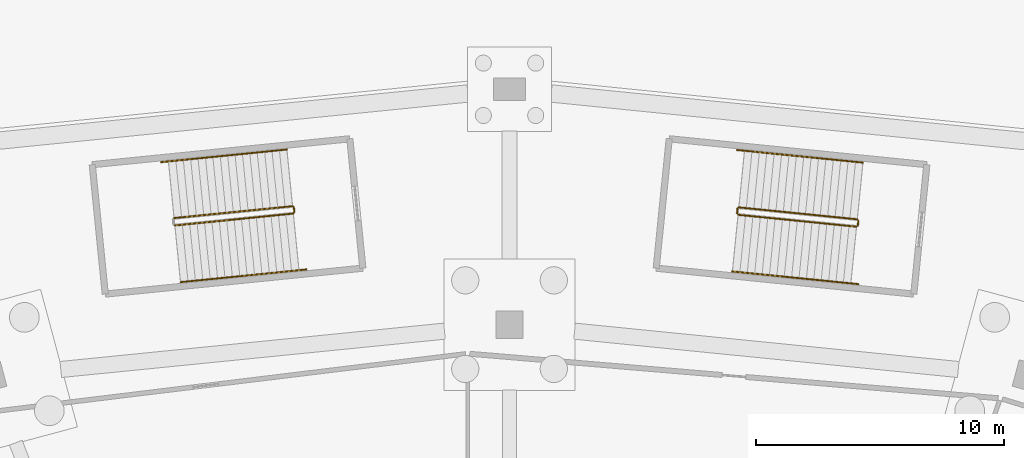
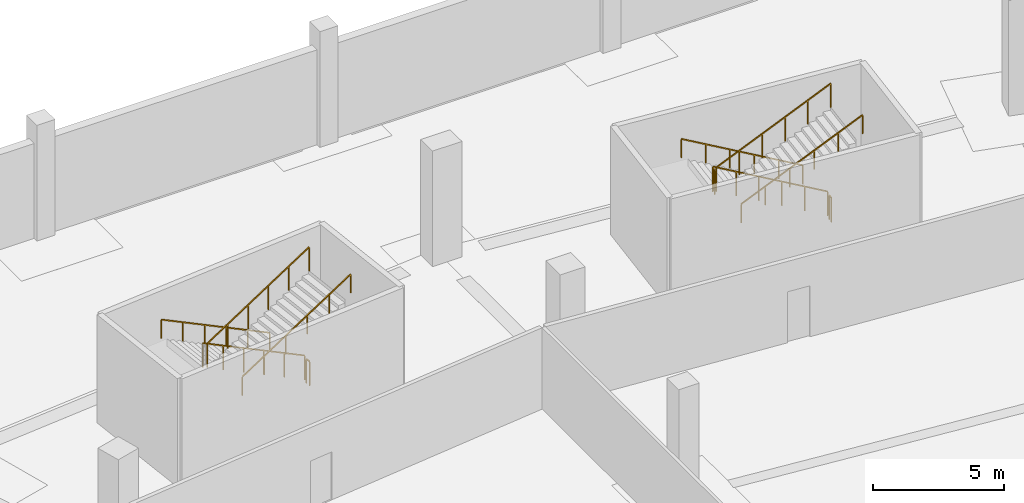
# One storey, part 71 of 74: 11 railings.
"""IFC4 building model written with IfcOpenShell, lengths in metres."""

from ifc_helpers import new_model, si_unit, direction, frame, origin, origin_2d, place, context, subcontext, project, spatial, rectangle, extrude, material, type_object, element, save


model = new_model("IFC4")

# Units and contexts
model_context = context("Model", 3, precision=1e-05, world=origin(), true_north=direction((0.0, 1.0)))
body_context = subcontext(model_context, "Body", "Model", "MODEL_VIEW")
ifc_project = project(units=[si_unit("LENGTHUNIT", "METRE"), si_unit("AREAUNIT", "SQUARE_METRE"), si_unit("VOLUMEUNIT", "CUBIC_METRE"), si_unit("PLANEANGLEUNIT", "RADIAN"), si_unit("MASSUNIT", "GRAM", prefix="KILO")], contexts=[model_context])

# Site, building, storey
site_placement = place(None, origin())
site = spatial("IfcSite", under=ifc_project, at=site_placement, CompositionType="ELEMENT")
building_placement = place(site_placement, origin())
building = spatial("IfcBuilding", under=site, at=building_placement, Name="Zlatoyarsky Gate Stadium", CompositionType="ELEMENT")
storey_placement = place(building_placement, frame((0.0, 0.0, -5.39990234375)))
storey = spatial("IfcBuildingStorey", under=building, at=storey_placement, Name="B1", CompositionType="ELEMENT", Elevation=-5.39990234375)

# Railings
ifc_material_1 = material(Name="Powder-coated steel stair guardrail", Category="steel")
railing_type_1 = type_object("IfcRailingType", Name="PAINTED STEEL STAIR WELL GUARDRAIL 1150", PredefinedType="GUARDRAIL", material=ifc_material_1)
railing_1_placement = place(storey_placement, frame((102.239013671875, 146.282470703125, 0.15869140625)))
element("IfcRailing", 1, at=railing_1_placement, inside=storey, type_object=railing_type_1, Name="ST-04 B1 stair guard 1", PredefinedType="GUARDRAIL", context=body_context, shape_type="SweptSolid", body=[
    extrude(rectangle(XDim=0.048095703125, YDim=0.048095703125, at=origin_2d()), frame((0.0, 0.0, 1.1259765625), z_axis=(-0.879359497258, -0.088371966038, 0.467885958542), x_axis=(0.099992171352, -0.994988223884, 0.0)), (0.0, 0.0, 1.0), 5.431396484375),
    extrude(rectangle(XDim=0.0419921875, YDim=0.0419921875, at=origin_2d()), origin(), (0.0, 0.0, 1.0), 1.101806640625),
    extrude(rectangle(XDim=0.0419921875, YDim=0.0419921875, at=origin_2d()), frame((-0.955322265625, -0.095947265625, 0.50830078125)), (0.0, 0.0, 1.0), 1.101806640625),
    extrude(rectangle(XDim=0.0419921875, YDim=0.0419921875, at=origin_2d()), frame((-1.910400390625, -0.19189453125, 1.0166015625)), (0.0, 0.0, 1.0), 1.101806640625),
    extrude(rectangle(XDim=0.0419921875, YDim=0.0419921875, at=origin_2d()), frame((-2.86572265625, -0.2880859375, 1.524658203125)), (0.0, 0.0, 1.0), 1.101806640625),
    extrude(rectangle(XDim=0.0419921875, YDim=0.0419921875, at=origin_2d()), frame((-3.82080078125, -0.384033203125, 2.032958984375)), (0.0, 0.0, 1.0), 1.101806640625),
    extrude(rectangle(XDim=0.0419921875, YDim=0.0419921875, at=origin_2d()), frame((-4.776123046875, -0.47998046875, 2.541259765625)), (0.0, 0.0, 1.0), 1.101806640625),
])
railing_2_placement = place(storey_placement, frame((97.492919921875, 145.504150390625, 2.858642578125)))
element("IfcRailing", 2, at=railing_2_placement, inside=storey, type_object=railing_type_1, Name="ST-04 B1 stair guard 3", PredefinedType="GUARDRAIL", context=body_context, shape_type="SweptSolid", body=[
    extrude(rectangle(XDim=0.048095703125, YDim=0.048095703125, at=origin_2d()), frame((0.0, 0.0, 1.1259765625), z_axis=(0.87934930525, 0.088375459264, 0.467904453448), x_axis=(-0.099997231792, 0.994987715318, 0.0)), (0.0, 0.0, 1.0), 5.43115234375),
    extrude(rectangle(XDim=0.0419921875, YDim=0.0419921875, at=origin_2d()), origin(), (0.0, 0.0, 1.0), 1.101806640625),
    extrude(rectangle(XDim=0.0419921875, YDim=0.0419921875, at=origin_2d()), frame((0.955078125, 0.095947265625, 0.50830078125)), (0.0, 0.0, 1.0), 1.101806640625),
    extrude(rectangle(XDim=0.0419921875, YDim=0.0419921875, at=origin_2d()), frame((1.910400390625, 0.19189453125, 1.0166015625)), (0.0, 0.0, 1.0), 1.101806640625),
    extrude(rectangle(XDim=0.0419921875, YDim=0.0419921875, at=origin_2d()), frame((2.865478515625, 0.2880859375, 1.524658203125)), (0.0, 0.0, 1.0), 1.101806640625),
    extrude(rectangle(XDim=0.0419921875, YDim=0.0419921875, at=origin_2d()), frame((3.82080078125, 0.384033203125, 2.032958984375)), (0.0, 0.0, 1.0), 1.101806640625),
    extrude(rectangle(XDim=0.0419921875, YDim=0.0419921875, at=origin_2d()), frame((4.77587890625, 0.47998046875, 2.541259765625)), (0.0, 0.0, 1.0), 1.101806640625),
])
railing_3_placement = place(storey_placement, frame((102.293701171875, 146.23779296875, 0.0)))
element("IfcRailing", 3, at=railing_3_placement, inside=storey, type_object=railing_type_1, Name="ST-04 B1 stair guard 4", PredefinedType="GUARDRAIL", context=body_context, shape_type="SweptSolid", body=[
    extrude(rectangle(XDim=0.048095703125, YDim=0.048095703125, at=origin_2d()), frame((0.0, 0.0, 1.1259765625), z_axis=(0.100108072026, -0.994976569531, 0.0), x_axis=(0.994976569531, 0.100108072026, 0.0)), (0.0, 0.0, 1.0), 0.199951171875),
    extrude(rectangle(XDim=0.0419921875, YDim=0.0419921875, at=origin_2d()), origin(), (0.0, 0.0, 1.0), 1.101806640625),
    extrude(rectangle(XDim=0.0419921875, YDim=0.0419921875, at=origin_2d()), frame((0.02001953125, -0.198974609375, 0.0)), (0.0, 0.0, 1.0), 1.101806640625),
])
railing_4_placement = place(storey_placement, frame((125.03466796875, 145.752685546875, 0.15869140625)))
element("IfcRailing", 4, at=railing_4_placement, inside=storey, type_object=railing_type_1, Name="ST-17 B1 stair guard 1", PredefinedType="GUARDRAIL", context=body_context, shape_type="SweptSolid", body=[
    extrude(rectangle(XDim=0.048095703125, YDim=0.048095703125, at=origin_2d()), frame((0.0, 0.0, 1.1259765625), z_axis=(-0.879359497258, 0.088371966038, 0.467885958542), x_axis=(-0.099992171352, -0.994988223884, 0.0)), (0.0, 0.0, 1.0), 5.431396484375),
    extrude(rectangle(XDim=0.0419921875, YDim=0.0419921875, at=origin_2d()), origin(), (0.0, 0.0, 1.0), 1.101806640625),
    extrude(rectangle(XDim=0.0419921875, YDim=0.0419921875, at=origin_2d()), frame((-0.955322265625, 0.095947265625, 0.50830078125)), (0.0, 0.0, 1.0), 1.101806640625),
    extrude(rectangle(XDim=0.0419921875, YDim=0.0419921875, at=origin_2d()), frame((-1.910400390625, 0.19189453125, 1.0166015625)), (0.0, 0.0, 1.0), 1.101806640625),
    extrude(rectangle(XDim=0.0419921875, YDim=0.0419921875, at=origin_2d()), frame((-2.86572265625, 0.2880859375, 1.524658203125)), (0.0, 0.0, 1.0), 1.101806640625),
    extrude(rectangle(XDim=0.0419921875, YDim=0.0419921875, at=origin_2d()), frame((-3.82080078125, 0.384033203125, 2.032958984375)), (0.0, 0.0, 1.0), 1.101806640625),
    extrude(rectangle(XDim=0.0419921875, YDim=0.0419921875, at=origin_2d()), frame((-4.776123046875, 0.47998046875, 2.541259765625)), (0.0, 0.0, 1.0), 1.101806640625),
])
railing_5_placement = place(storey_placement, frame((120.203857421875, 146.18798828125, 2.699951171875)))
element("IfcRailing", 5, at=railing_5_placement, inside=storey, type_object=railing_type_1, Name="ST-17 B1 stair guard 2", PredefinedType="GUARDRAIL", context=body_context, shape_type="SweptSolid", body=[
    extrude(rectangle(XDim=0.048095703125, YDim=0.048095703125, at=origin_2d()), frame((0.0, 0.0, 1.1259765625), z_axis=(-0.099986617797, -0.994988781978, 0.0), x_axis=(0.994988781978, -0.099986617797, 0.0)), (0.0, 0.0, 1.0), 0.2001953125),
    extrude(rectangle(XDim=0.0419921875, YDim=0.0419921875, at=origin_2d()), origin(), (0.0, 0.0, 1.0), 1.101806640625),
    extrude(rectangle(XDim=0.0419921875, YDim=0.0419921875, at=origin_2d()), frame((-0.02001953125, -0.19921875, 0.0)), (0.0, 0.0, 1.0), 1.101806640625),
])
railing_6_placement = place(storey_placement, frame((120.228515625, 145.93408203125, 2.858642578125)))
element("IfcRailing", 6, at=railing_6_placement, inside=storey, type_object=railing_type_1, Name="ST-17 B1 stair guard 3", PredefinedType="GUARDRAIL", context=body_context, shape_type="SweptSolid", body=[
    extrude(rectangle(XDim=0.048095703125, YDim=0.048095703125, at=origin_2d()), frame((0.0, 0.0, 1.1259765625), z_axis=(0.879359497258, -0.088371966038, 0.467885958542), x_axis=(0.099992171352, 0.994988223884, 0.0)), (0.0, 0.0, 1.0), 5.431396484375),
    extrude(rectangle(XDim=0.0419921875, YDim=0.0419921875, at=origin_2d()), origin(), (0.0, 0.0, 1.0), 1.101806640625),
    extrude(rectangle(XDim=0.0419921875, YDim=0.0419921875, at=origin_2d()), frame((0.955322265625, -0.095947265625, 0.50830078125)), (0.0, 0.0, 1.0), 1.101806640625),
    extrude(rectangle(XDim=0.0419921875, YDim=0.0419921875, at=origin_2d()), frame((1.910400390625, -0.19189453125, 1.0166015625)), (0.0, 0.0, 1.0), 1.101806640625),
    extrude(rectangle(XDim=0.0419921875, YDim=0.0419921875, at=origin_2d()), frame((2.86572265625, -0.2880859375, 1.524658203125)), (0.0, 0.0, 1.0), 1.101806640625),
    extrude(rectangle(XDim=0.0419921875, YDim=0.0419921875, at=origin_2d()), frame((3.82080078125, -0.384033203125, 2.032958984375)), (0.0, 0.0, 1.0), 1.101806640625),
    extrude(rectangle(XDim=0.0419921875, YDim=0.0419921875, at=origin_2d()), frame((4.776123046875, -0.47998046875, 2.541259765625)), (0.0, 0.0, 1.0), 1.101806640625),
])
railing_7_placement = place(storey_placement, frame((125.079345703125, 145.69775390625, 0.0)))
element("IfcRailing", 7, at=railing_7_placement, inside=storey, type_object=railing_type_1, Name="ST-17 B1 stair guard 4", PredefinedType="GUARDRAIL", context=body_context, shape_type="SweptSolid", body=[
    extrude(rectangle(XDim=0.048095703125, YDim=0.048095703125, at=origin_2d()), frame((0.0, 0.0, 1.1259765625), z_axis=(-0.100108072026, -0.994976569531, 0.0), x_axis=(0.994976569531, -0.100108072026, 0.0)), (0.0, 0.0, 1.0), 0.199951171875),
    extrude(rectangle(XDim=0.0419921875, YDim=0.0419921875, at=origin_2d()), origin(), (0.0, 0.0, 1.0), 1.101806640625),
    extrude(rectangle(XDim=0.0419921875, YDim=0.0419921875, at=origin_2d()), frame((-0.02001953125, -0.198974609375, 0.0)), (0.0, 0.0, 1.0), 1.101806640625),
])
ifc_material_2 = material(Name="Brushed stainless steel 316 handrail", Category="steel")
railing_type_2 = type_object("IfcRailingType", Name="STAINLESS STEEL TUBULAR HANDRAIL 900", PredefinedType="HANDRAIL", material=ifc_material_2)
railing_8_placement = place(storey_placement, frame((102.0087890625, 148.571044921875, 0.162841796875)))
element("IfcRailing", 8, at=railing_8_placement, inside=storey, type_object=railing_type_2, Name="ST-04 B1 stair handrail 1", PredefinedType="HANDRAIL", context=body_context, shape_type="SweptSolid", body=[
    extrude(rectangle(XDim=0.048095703125, YDim=0.048095703125, at=origin_2d()), frame((0.0, 0.0, 0.8759765625), z_axis=(-0.879352690417, -0.088383745683, 0.467896526334), x_axis=(0.100006133008, -0.994986820697, 0.0)), (0.0, 0.0, 1.0), 5.7705078125),
    extrude(rectangle(XDim=0.0419921875, YDim=0.0419921875, at=origin_2d()), origin(), (0.0, 0.0, 1.0), 0.851806640625),
    extrude(rectangle(XDim=0.0419921875, YDim=0.0419921875, at=origin_2d()), frame((-1.014892578125, -0.10205078125, 0.5400390625)), (0.0, 0.0, 1.0), 0.851806640625),
    extrude(rectangle(XDim=0.0419921875, YDim=0.0419921875, at=origin_2d()), frame((-2.02978515625, -0.2041015625, 1.080078125)), (0.0, 0.0, 1.0), 0.851806640625),
    extrude(rectangle(XDim=0.0419921875, YDim=0.0419921875, at=origin_2d()), frame((-3.04443359375, -0.305908203125, 1.619873046875)), (0.0, 0.0, 1.0), 0.851806640625),
    extrude(rectangle(XDim=0.0419921875, YDim=0.0419921875, at=origin_2d()), frame((-4.059326171875, -0.407958984375, 2.159912109375)), (0.0, 0.0, 1.0), 0.851806640625),
    extrude(rectangle(XDim=0.0419921875, YDim=0.0419921875, at=origin_2d()), frame((-5.07421875, -0.510009765625, 2.699951171875)), (0.0, 0.0, 1.0), 0.851806640625),
])
railing_9_placement = place(storey_placement, frame((97.722900390625, 143.215576171875, 2.86279296875)))
element("IfcRailing", 9, at=railing_9_placement, inside=storey, type_object=railing_type_2, Name="ST-04 B1 stair handrail 2", PredefinedType="HANDRAIL", context=body_context, shape_type="SweptSolid", body=[
    extrude(rectangle(XDim=0.048095703125, YDim=0.048095703125, at=origin_2d()), frame((0.0, 0.0, 0.8759765625), z_axis=(0.879362283002, 0.088380457503, 0.467879118967), x_axis=(-0.100001369668, 0.994987299449, 0.0)), (0.0, 0.0, 1.0), 5.7705078125),
    extrude(rectangle(XDim=0.0419921875, YDim=0.0419921875, at=origin_2d()), origin(), (0.0, 0.0, 1.0), 0.851806640625),
    extrude(rectangle(XDim=0.0419921875, YDim=0.0419921875, at=origin_2d()), frame((1.014892578125, 0.10205078125, 0.5400390625)), (0.0, 0.0, 1.0), 0.851806640625),
    extrude(rectangle(XDim=0.0419921875, YDim=0.0419921875, at=origin_2d()), frame((2.02978515625, 0.2041015625, 1.080078125)), (0.0, 0.0, 1.0), 0.851806640625),
    extrude(rectangle(XDim=0.0419921875, YDim=0.0419921875, at=origin_2d()), frame((3.044677734375, 0.305908203125, 1.619873046875)), (0.0, 0.0, 1.0), 0.851806640625),
    extrude(rectangle(XDim=0.0419921875, YDim=0.0419921875, at=origin_2d()), frame((4.0595703125, 0.407958984375, 2.159912109375)), (0.0, 0.0, 1.0), 0.851806640625),
    extrude(rectangle(XDim=0.0419921875, YDim=0.0419921875, at=origin_2d()), frame((5.074462890625, 0.510009765625, 2.699951171875)), (0.0, 0.0, 1.0), 0.851806640625),
])
railing_10_placement = place(storey_placement, frame((125.2646484375, 148.041015625, 0.162841796875)))
element("IfcRailing", 10, at=railing_10_placement, inside=storey, type_object=railing_type_2, Name="ST-17 B1 stair handrail 1", PredefinedType="HANDRAIL", context=body_context, shape_type="SweptSolid", body=[
    extrude(rectangle(XDim=0.048095703125, YDim=0.048095703125, at=origin_2d()), frame((0.0, 0.0, 0.8759765625), z_axis=(-0.879362283002, 0.088380457503, 0.467879118967), x_axis=(-0.100001369668, -0.994987299449, 0.0)), (0.0, 0.0, 1.0), 5.7705078125),
    extrude(rectangle(XDim=0.0419921875, YDim=0.0419921875, at=origin_2d()), origin(), (0.0, 0.0, 1.0), 0.851806640625),
    extrude(rectangle(XDim=0.0419921875, YDim=0.0419921875, at=origin_2d()), frame((-1.014892578125, 0.10205078125, 0.5400390625)), (0.0, 0.0, 1.0), 0.851806640625),
    extrude(rectangle(XDim=0.0419921875, YDim=0.0419921875, at=origin_2d()), frame((-2.02978515625, 0.2041015625, 1.080078125)), (0.0, 0.0, 1.0), 0.851806640625),
    extrude(rectangle(XDim=0.0419921875, YDim=0.0419921875, at=origin_2d()), frame((-3.044677734375, 0.305908203125, 1.619873046875)), (0.0, 0.0, 1.0), 0.851806640625),
    extrude(rectangle(XDim=0.0419921875, YDim=0.0419921875, at=origin_2d()), frame((-4.0595703125, 0.407958984375, 2.159912109375)), (0.0, 0.0, 1.0), 0.851806640625),
    extrude(rectangle(XDim=0.0419921875, YDim=0.0419921875, at=origin_2d()), frame((-5.074462890625, 0.510009765625, 2.699951171875)), (0.0, 0.0, 1.0), 0.851806640625),
])
railing_11_placement = place(storey_placement, frame((119.99853515625, 143.645751953125, 2.86279296875)))
element("IfcRailing", 11, at=railing_11_placement, inside=storey, type_object=railing_type_2, Name="ST-17 B1 stair handrail 2", PredefinedType="HANDRAIL", context=body_context, shape_type="SweptSolid", body=[
    extrude(rectangle(XDim=0.048095703125, YDim=0.048095703125, at=origin_2d()), frame((0.0, 0.0, 0.8759765625), z_axis=(0.879362283002, -0.088380457503, 0.467879118967), x_axis=(0.100001369668, 0.994987299449, 0.0)), (0.0, 0.0, 1.0), 5.7705078125),
    extrude(rectangle(XDim=0.0419921875, YDim=0.0419921875, at=origin_2d()), origin(), (0.0, 0.0, 1.0), 0.851806640625),
    extrude(rectangle(XDim=0.0419921875, YDim=0.0419921875, at=origin_2d()), frame((1.014892578125, -0.10205078125, 0.5400390625)), (0.0, 0.0, 1.0), 0.851806640625),
    extrude(rectangle(XDim=0.0419921875, YDim=0.0419921875, at=origin_2d()), frame((2.02978515625, -0.2041015625, 1.080078125)), (0.0, 0.0, 1.0), 0.851806640625),
    extrude(rectangle(XDim=0.0419921875, YDim=0.0419921875, at=origin_2d()), frame((3.044677734375, -0.305908203125, 1.619873046875)), (0.0, 0.0, 1.0), 0.851806640625),
    extrude(rectangle(XDim=0.0419921875, YDim=0.0419921875, at=origin_2d()), frame((4.0595703125, -0.407958984375, 2.159912109375)), (0.0, 0.0, 1.0), 0.851806640625),
    extrude(rectangle(XDim=0.0419921875, YDim=0.0419921875, at=origin_2d()), frame((5.074462890625, -0.510009765625, 2.699951171875)), (0.0, 0.0, 1.0), 0.851806640625),
])

save(model, "model.ifc")
